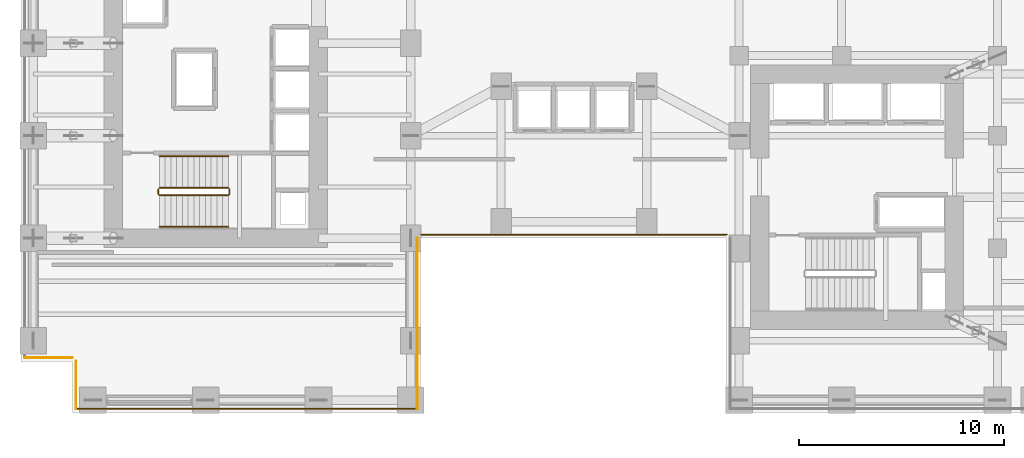
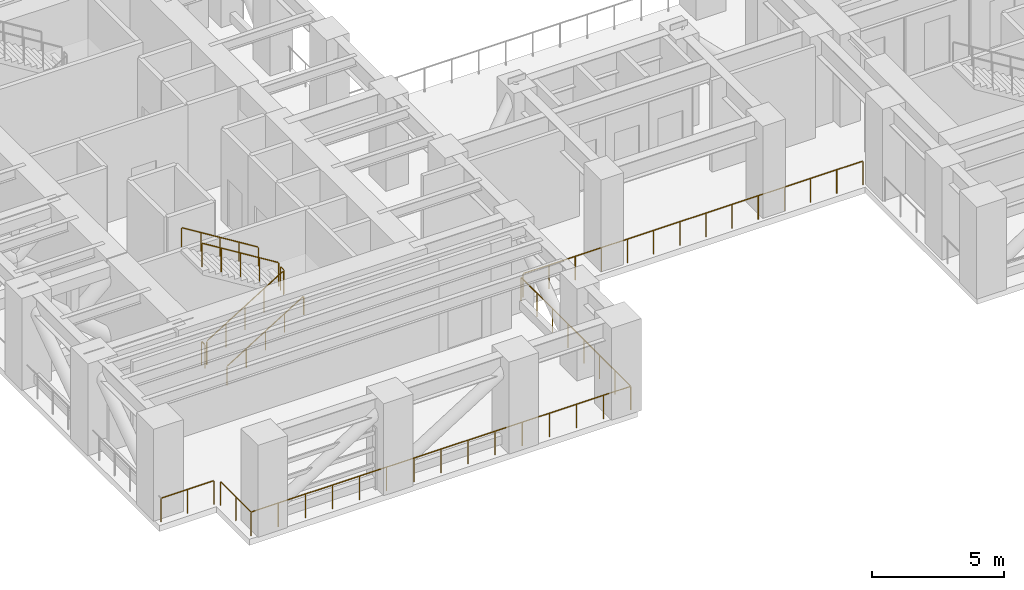
# One storey, part 12 of 16: 11 railings.
"""IFC4 building model written with IfcOpenShell, lengths in metres."""

import ifcopenshell
import ifcopenshell.guid

model = None  # the IFC model being written
_history = None  # IfcOwnerHistory: only IFC2X3 demands one
_inside = {}  # id of a spatial element -> (the spatial element, [elements in it])
_under = {}  # id of a project, library or spatial element -> (it, [spatial elements below it])
_declared = {}  # id of a project -> (the project, [libraries it declares])
_typed = {}  # id of a type object -> (the type object, [elements of that type])
_made_of = {}  # id of a material, layer set ... -> (it, [elements and type objects made of it])


def new_model(schema):
    """Start an empty IFC model of exactly this schema.

    Asked for "IFC4X3", IfcOpenShell would pick the latest addendum, in which some entities
    have other attributes; the version numbers below select the first issue.
    IFC2X3 requires an IfcOwnerHistory on every rooted entity: one is made here for all.
    """
    global model, _history
    if schema == "IFC4X3":
        model = ifcopenshell.file(schema_version=(4, 3, 0, 0))
    else:
        model = ifcopenshell.file(schema=schema)
    _inside.clear()
    _under.clear()
    _declared.clear()
    _typed.clear()
    _made_of.clear()
    _history = None
    if model.schema == "IFC2X3":
        org = make("IfcOrganization", Name="unknown")
        user = make(
            "IfcPersonAndOrganization",
            ThePerson=make("IfcPerson", FamilyName="unknown"),
            TheOrganization=org,
        )
        app = make(
            "IfcApplication",
            ApplicationDeveloper=org,
            Version="unknown",
            ApplicationFullName="unknown",
            ApplicationIdentifier="unknown",
        )
        _history = make(
            "IfcOwnerHistory",
            OwningUser=user,
            OwningApplication=app,
            ChangeAction="ADDED",
            CreationDate=0,
        )
    return model


def make(cls, **values):
    """One entity of the class cls with the attributes given. An attribute that is None is left unset."""
    return model.create_entity(
        cls, **{name: value for name, value in values.items() if value is not None}
    )


def rooted(cls, **values):
    """An entity with a GlobalId (a new one), such as an element, a storey or a relation."""
    return make(cls, GlobalId=ifcopenshell.guid.new(), OwnerHistory=_history, **values)


def si_unit(unit_type, name, prefix=None):
    """IfcSIUnit, for example si_unit("LENGTHUNIT", "METRE", prefix="MILLI")."""
    return make("IfcSIUnit", UnitType=unit_type, Prefix=prefix, Name=name)


def assignment(units):
    """IfcUnitAssignment: the units of a project."""
    return None if units is None else make("IfcUnitAssignment", Units=units)


def point(xyz):
    """IfcCartesianPoint."""
    return None if xyz is None else make("IfcCartesianPoint", Coordinates=xyz)


def direction(xyz):
    """IfcDirection."""
    return None if xyz is None else make("IfcDirection", DirectionRatios=xyz)


def frame(location, z_axis=None, x_axis=None):
    """IfcAxis2Placement3D, a coordinate frame: its origin and axes. An axis left out is left unset."""
    return make(
        "IfcAxis2Placement3D",
        Location=point(location),
        Axis=direction(z_axis),
        RefDirection=direction(x_axis),
    )


def frame_2d(location, x_axis=None):
    """IfcAxis2Placement2D, a coordinate frame in the plane: its origin and x axis."""
    return make(
        "IfcAxis2Placement2D", Location=point(location), RefDirection=direction(x_axis)
    )


def origin():
    """The frame at (0, 0, 0) with its axes left unset."""
    return frame((0.0, 0.0, 0.0))


def origin_2d():
    """The frame at (0, 0) in the plane with its x axis left unset."""
    return frame_2d((0.0, 0.0))


def place(relative_to, where):
    """IfcLocalPlacement: puts the frame where relative to a parent placement (None: the world)."""
    return make(
        "IfcLocalPlacement", PlacementRelTo=relative_to, RelativePlacement=where
    )


def context(
    kind, dimensions, precision=None, world=None, true_north=None, identifier=None
):
    """IfcGeometricRepresentationContext, for example the 3D "Model" context."""
    return make(
        "IfcGeometricRepresentationContext",
        ContextIdentifier=identifier,
        ContextType=kind,
        CoordinateSpaceDimension=dimensions,
        Precision=precision,
        WorldCoordinateSystem=world,
        TrueNorth=true_north,
    )


def subcontext(parent, identifier, kind, view, scale=None):
    """IfcGeometricRepresentationSubContext, for example "Body" below "Model"."""
    return make(
        "IfcGeometricRepresentationSubContext",
        ContextIdentifier=identifier,
        ContextType=kind,
        ParentContext=parent,
        TargetScale=scale,
        TargetView=view,
    )


def project(units=None, contexts=None):
    """IfcProject with its units and contexts."""
    return rooted(
        "IfcProject",
        Name="project",
        RepresentationContexts=contexts,
        UnitsInContext=assignment(units),
    )


def spatial(cls, under=None, at=None, **own):
    """A site, building, storey or space (cls), placed at a placement, below another one or the project."""
    s = rooted(cls, ObjectPlacement=at, **own)
    if under is not None:
        _under.setdefault(under.id(), (under, []))[1].append(s)
    return s


def profile(cls, at=None, kind="AREA", **sizes):
    """A parametric profile (cls). Its sizes go by their IFC names, for example OverallWidth=200.0."""
    return make(cls, ProfileType=kind, Position=at, **sizes)


def circle(**sizes):
    """IfcCircleProfileDef."""
    return profile("IfcCircleProfileDef", **sizes)


def extrude(swept, where, along, depth):
    """IfcExtrudedAreaSolid: the profile swept, set in the frame where, extruded along a direction by depth."""
    return make(
        "IfcExtrudedAreaSolid",
        SweptArea=swept,
        Position=where,
        ExtrudedDirection=direction(along),
        Depth=depth,
    )


def shape(context_of_items, identifier, shape_type, items):
    """IfcShapeRepresentation: the items that make up one representation, for example the "Body"."""
    return make(
        "IfcShapeRepresentation",
        ContextOfItems=context_of_items,
        RepresentationIdentifier=identifier,
        RepresentationType=shape_type,
        Items=items,
    )


def source(mapping_origin, context_of_items, identifier, shape_type, items):
    """IfcRepresentationMap: a shape defined once, which mapped items show again and again."""
    return make(
        "IfcRepresentationMap",
        MappingOrigin=mapping_origin,
        MappedRepresentation=shape(context_of_items, identifier, shape_type, items),
    )


def transform(
    local_origin,
    x_axis=None,
    y_axis=None,
    z_axis=None,
    scale=None,
    scale2=None,
    scale3=None,
    uniform=True,
):
    """IfcCartesianTransformationOperator3D, or its non-uniform kind. x_axis, y_axis, z_axis: its Axis1, 2, 3."""
    if uniform:
        return make(
            "IfcCartesianTransformationOperator3D",
            Axis1=direction(x_axis),
            Axis2=direction(y_axis),
            LocalOrigin=point(local_origin),
            Scale=scale,
            Axis3=direction(z_axis),
        )
    return make(
        "IfcCartesianTransformationOperator3DnonUniform",
        Axis1=direction(x_axis),
        Axis2=direction(y_axis),
        LocalOrigin=point(local_origin),
        Scale=scale,
        Axis3=direction(z_axis),
        Scale2=scale2,
        Scale3=scale3,
    )


def mapped(mapping_source, mapping_target):
    """IfcMappedItem: shows the shape of a source again, moved by a transform."""
    return make(
        "IfcMappedItem", MappingSource=mapping_source, MappingTarget=mapping_target
    )


def material(Name=None, Category=None):
    """IfcMaterial."""
    return make("IfcMaterial", Name=Name, Category=Category)


def layer(
    of_material, thickness, ventilated=None, Name=None, Category=None, Priority=None
):
    """IfcMaterialLayer: one layer of a wall or slab, of a material (None: an air gap)."""
    return make(
        "IfcMaterialLayer",
        Material=of_material,
        LayerThickness=thickness,
        IsVentilated=ventilated,
        Name=Name,
        Category=Category,
        Priority=Priority,
    )


def layer_set(layers, Name=None):
    """IfcMaterialLayerSet."""
    return make("IfcMaterialLayerSet", MaterialLayers=layers, LayerSetName=Name)


def made_of(thing, what):
    """Note that an element or type object is made of a material, layer set ...; save() writes the relation."""
    if what is not None:
        _made_of.setdefault(what.id(), (what, []))[1].append(thing)
    return thing


def type_object(cls, material=None, **own):
    """A type object (cls), such as IfcWallType, which elements share."""
    return made_of(rooted(cls, **own), material)


def element(
    cls,
    number,
    at=None,
    inside=None,
    cuts=None,
    type_object=None,
    material=None,
    context=None,
    identifier="Body",
    shape_type=None,
    held_by="IfcProductDefinitionShape",
    body=None,
    shapes=None,
    **own,
):
    """One element of the class cls, such as IfcWall. Its Tag is "e" and its number.

    at: its placement. inside: the storey or other place that contains it. cuts: it is an
    opening in that element (IfcRelVoidsElement). A single representation is given by context,
    identifier, shape_type and body (its items); several are given by shapes. held_by: the class
    of the entity that holds the representations. save() writes the other relations.
    """
    e = rooted(cls, Tag="e%d" % number, ObjectPlacement=at, **own)
    if body is not None:
        shapes = [shape(context, identifier, shape_type, body)]
    if shapes is not None:
        e.Representation = make(held_by, Representations=shapes)
    if inside is not None:
        _inside.setdefault(inside.id(), (inside, []))[1].append(e)
    if cuts is not None:
        rooted(
            "IfcRelVoidsElement", RelatingBuildingElement=cuts, RelatedOpeningElement=e
        )
    if type_object is not None:
        _typed.setdefault(type_object.id(), (type_object, []))[1].append(e)
    return made_of(e, material)


def aggregate(whole, parts):
    """IfcRelAggregates: a whole, such as a stair, and the parts it consists of."""
    return rooted("IfcRelAggregates", RelatingObject=whole, RelatedObjects=parts)


def save(model, path):
    """Write the relations noted so far, then the file.

    IfcRelAggregates (storeys below a building ...), IfcRelContainedInSpatialStructure (elements
    in a storey), IfcRelDefinesByType, IfcRelAssociatesMaterial and IfcRelDeclares: one each for
    every whole, place, type object, material and project.
    """
    for whole, parts in _under.values():
        aggregate(whole, parts)
    for where, things in _inside.values():
        rooted(
            "IfcRelContainedInSpatialStructure",
            RelatedElements=things,
            RelatingStructure=where,
        )
    for kind, things in _typed.values():
        rooted("IfcRelDefinesByType", RelatedObjects=things, RelatingType=kind)
    for what, things in _made_of.values():
        rooted("IfcRelAssociatesMaterial", RelatedObjects=things, RelatingMaterial=what)
    for by, libraries in _declared.values():
        rooted("IfcRelDeclares", RelatingContext=by, RelatedDefinitions=libraries)
    model.write(path)


model = new_model("IFC4")

# Units and contexts
model_context = context("Model", 3, precision=1e-05, world=origin(), true_north=direction((0.0, 1.0)))
body_context = subcontext(model_context, "Body", "Model", "MODEL_VIEW")
ifc_project = project(units=[si_unit("LENGTHUNIT", "METRE"), si_unit("AREAUNIT", "SQUARE_METRE"), si_unit("VOLUMEUNIT", "CUBIC_METRE"), si_unit("PLANEANGLEUNIT", "RADIAN"), si_unit("MASSUNIT", "GRAM", prefix="KILO")], contexts=[model_context])

# Site, building, storey
site_placement = place(None, origin())
site = spatial("IfcSite", under=ifc_project, at=site_placement, CompositionType="ELEMENT")
building_placement = place(site_placement, origin())
building = spatial("IfcBuilding", under=site, at=building_placement, Name="Kharzan Plaza Tower", CompositionType="ELEMENT")
storey_placement = place(building_placement, frame((0.0, 0.0, 72.89990234375)))
storey = spatial("IfcBuildingStorey", under=building, at=storey_placement, Name="L19", CompositionType="ELEMENT", Elevation=72.89990234375)

# Railings
ifc_material_1 = material(Name="Painted Galvanized Architectural Steel", Category="steel")
ifc_layer_1 = layer(ifc_material_1, 0.074951171875)
ifc_layer_set_1 = layer_set([ifc_layer_1], Name="Painted Galvanized Architectural Steel")
railing_type_1 = type_object("IfcRailingType", Name="RL-GUARD-1120", PredefinedType="BALUSTRADE", material=ifc_layer_set_1)
shared_shape_1 = source(origin(), body_context, "Body", "SweptSolid", [
    extrude(circle(Radius=0.02392578125, at=origin_2d()), frame((0.0224609375, 0.0, 1.10986328125), z_axis=(0.850623216509, 0.0, 0.525775754039), x_axis=(0.0, 1.0, 0.0)), (0.0, 0.0, 1.0), 3.897216796875),
    extrude(circle(Radius=0.02099609375, at=origin_2d()), origin(), (0.0, 0.0, 1.0), 1.072021484375),
    extrude(circle(Radius=0.02099609375, at=origin_2d()), frame((0.840087890625, 0.0, 0.519287109375)), (0.0, 0.0, 1.0), 1.072021484375),
    extrude(circle(Radius=0.02099609375, at=origin_2d()), frame((1.68017578125, 0.0, 1.03857421875)), (0.0, 0.0, 1.0), 1.072021484375),
    extrude(circle(Radius=0.02099609375, at=origin_2d()), frame((2.52001953125, 0.0, 1.5576171875)), (0.0, 0.0, 1.0), 1.072021484375),
    extrude(circle(Radius=0.02099609375, at=origin_2d()), frame((3.360107421875, 0.0, 2.076904296875)), (0.0, 0.0, 1.0), 1.072021484375),
])
railing_1_placement = place(storey_placement, frame((6.75, 10.60009765625, 0.173095703125)))
element("IfcRailing", 1, at=railing_1_placement, inside=storey, type_object=railing_type_1, Name="L19 ST-1 stair guard 1", PredefinedType="BALUSTRADE", context=body_context, shape_type="MappedRepresentation", body=[
    mapped(shared_shape_1, transform((0.0, 0.0, 0.0), x_axis=(1.0, 0.0, 0.0), y_axis=(0.0, 1.0, 0.0), z_axis=(0.0, 0.0, 1.0))),
])
shared_shape_2 = source(origin(), body_context, "Body", "SweptSolid", [
    extrude(circle(Radius=0.02392578125, at=origin_2d()), frame((0.0, 0.0263671875, 1.09619140625), z_axis=(0.0, 1.0, 0.0), x_axis=(-1.0, 0.0, 0.0)), (0.0, 0.0, 1.0), 0.197021484375),
    extrude(circle(Radius=0.02099609375, at=origin_2d()), origin(), (0.0, 0.0, 1.0), 1.072021484375),
    extrude(circle(Radius=0.02099609375, at=origin_2d()), frame((0.0, 0.25, 0.0)), (0.0, 0.0, 1.0), 1.072021484375),
])
for number, where, name in (
    (2, (10.159912109375, 10.64990234375, 2.25), "L19 ST-1 stair guard 2"),
    (3, (6.699951171875, 10.64990234375, 0.0), "L19 ST-1 stair guard 4"),
):
    element("IfcRailing", number, at=place(storey_placement, frame(where)), inside=storey, type_object=railing_type_1, Name=name, PredefinedType="BALUSTRADE", context=body_context, shape_type="MappedRepresentation", body=[
        mapped(shared_shape_2, transform((0.0, 0.0, 0.0), x_axis=(1.0, 0.0, 0.0), y_axis=(0.0, 1.0, 0.0), z_axis=(0.0, 0.0, 1.0))),
    ])
shared_shape_3 = source(origin(), body_context, "Body", "SweptSolid", [
    extrude(circle(Radius=0.02392578125, at=origin_2d()), frame((-0.0224609375, 0.0, 1.10986328125), z_axis=(-0.850623216509, 0.0, 0.525775754039), x_axis=(0.0, -1.0, 0.0)), (0.0, 0.0, 1.0), 3.897216796875),
    extrude(circle(Radius=0.02099609375, at=origin_2d()), origin(), (0.0, 0.0, 1.0), 1.072021484375),
    extrude(circle(Radius=0.02099609375, at=origin_2d()), frame((-0.840087890625, 0.0, 0.519287109375)), (0.0, 0.0, 1.0), 1.072021484375),
    extrude(circle(Radius=0.02099609375, at=origin_2d()), frame((-1.68017578125, 0.0, 1.03857421875)), (0.0, 0.0, 1.0), 1.072021484375),
    extrude(circle(Radius=0.02099609375, at=origin_2d()), frame((-2.52001953125, 0.0, 1.5576171875)), (0.0, 0.0, 1.0), 1.072021484375),
    extrude(circle(Radius=0.02099609375, at=origin_2d()), frame((-3.360107421875, 0.0, 2.076904296875)), (0.0, 0.0, 1.0), 1.072021484375),
])
railing_2_placement = place(storey_placement, frame((10.110107421875, 10.949951171875, 2.423095703125)))
element("IfcRailing", 4, at=railing_2_placement, inside=storey, type_object=railing_type_1, Name="L19 ST-1 stair guard 3", PredefinedType="BALUSTRADE", context=body_context, shape_type="MappedRepresentation", body=[
    mapped(shared_shape_3, transform((0.0, 0.0, 0.0), x_axis=(1.0, 0.0, 0.0), y_axis=(0.0, 1.0, 0.0), z_axis=(0.0, 0.0, 1.0))),
])
ifc_material_2 = material(Name="Brushed Stainless Steel", Category="steel")
ifc_layer_2 = layer(ifc_material_2, 0.050048828125)
ifc_layer_set_2 = layer_set([ifc_layer_2], Name="Brushed Stainless Steel")
railing_type_2 = type_object("IfcRailingType", Name="RL-STAIR-HR920", PredefinedType="HANDRAIL", material=ifc_layer_set_2)
shared_shape_4 = source(origin(), body_context, "Body", "SweptSolid", [
    extrude(circle(Radius=0.02392578125, at=origin_2d()), frame((0.0224609375, 0.0, 0.8896484375), z_axis=(0.850623216509, 0.0, 0.525775754039), x_axis=(0.0, 1.0, 0.0)), (0.0, 0.0, 1.0), 3.897216796875),
    extrude(circle(Radius=0.02099609375, at=origin_2d()), origin(), (0.0, 0.0, 1.0), 0.851806640625),
    extrude(circle(Radius=0.02099609375, at=origin_2d()), frame((0.840087890625, 0.0, 0.519287109375)), (0.0, 0.0, 1.0), 0.851806640625),
    extrude(circle(Radius=0.02099609375, at=origin_2d()), frame((1.68017578125, 0.0, 1.03857421875)), (0.0, 0.0, 1.0), 0.851806640625),
    extrude(circle(Radius=0.02099609375, at=origin_2d()), frame((2.52001953125, 0.0, 1.5576171875)), (0.0, 0.0, 1.0), 0.851806640625),
    extrude(circle(Radius=0.02099609375, at=origin_2d()), frame((3.360107421875, 0.0, 2.076904296875)), (0.0, 0.0, 1.0), 0.851806640625),
])
railing_3_placement = place(storey_placement, frame((6.75, 9.050048828125, 0.173095703125)))
element("IfcRailing", 5, at=railing_3_placement, inside=storey, type_object=railing_type_2, Name="L19 ST-1 stair handrail 1", PredefinedType="HANDRAIL", context=body_context, shape_type="MappedRepresentation", body=[
    mapped(shared_shape_4, transform((0.0, 0.0, 0.0), x_axis=(1.0, 0.0, 0.0), y_axis=(0.0, 1.0, 0.0), z_axis=(0.0, 0.0, 1.0))),
])
shared_shape_5 = source(origin(), body_context, "Body", "SweptSolid", [
    extrude(circle(Radius=0.02392578125, at=origin_2d()), frame((-0.0224609375, 0.0, 0.8896484375), z_axis=(-0.850623216509, 0.0, 0.525775754039), x_axis=(0.0, -1.0, 0.0)), (0.0, 0.0, 1.0), 3.897216796875),
    extrude(circle(Radius=0.02099609375, at=origin_2d()), origin(), (0.0, 0.0, 1.0), 0.851806640625),
    extrude(circle(Radius=0.02099609375, at=origin_2d()), frame((-0.840087890625, 0.0, 0.519287109375)), (0.0, 0.0, 1.0), 0.851806640625),
    extrude(circle(Radius=0.02099609375, at=origin_2d()), frame((-1.68017578125, 0.0, 1.03857421875)), (0.0, 0.0, 1.0), 0.851806640625),
    extrude(circle(Radius=0.02099609375, at=origin_2d()), frame((-2.52001953125, 0.0, 1.5576171875)), (0.0, 0.0, 1.0), 0.851806640625),
    extrude(circle(Radius=0.02099609375, at=origin_2d()), frame((-3.360107421875, 0.0, 2.076904296875)), (0.0, 0.0, 1.0), 0.851806640625),
])
railing_4_placement = place(storey_placement, frame((10.110107421875, 12.5, 2.423095703125)))
element("IfcRailing", 6, at=railing_4_placement, inside=storey, type_object=railing_type_2, Name="L19 ST-1 stair handrail 2", PredefinedType="HANDRAIL", context=body_context, shape_type="MappedRepresentation", body=[
    mapped(shared_shape_5, transform((0.0, 0.0, 0.0), x_axis=(1.0, 0.0, 0.0), y_axis=(0.0, 1.0, 0.0), z_axis=(0.0, 0.0, 1.0))),
])
shared_shape_6 = source(origin(), body_context, "Body", "SweptSolid", [
    extrude(circle(Radius=0.02392578125, at=origin_2d()), frame((0.0, 0.0263671875, 1.09619140625), z_axis=(0.0, 1.0, 0.0), x_axis=(-1.0, 0.0, 0.0)), (0.0, 0.0, 1.0), 2.26708984375),
    extrude(circle(Radius=0.02099609375, at=origin_2d()), origin(), (0.0, 0.0, 1.0), 1.072021484375),
    extrude(circle(Radius=0.02099609375, at=origin_2d()), frame((0.0, 1.16015625, 0.0)), (0.0, 0.0, 1.0), 1.072021484375),
    extrude(circle(Radius=0.02099609375, at=origin_2d()), frame((0.0, 2.320068359375, 0.0)), (0.0, 0.0, 1.0), 1.072021484375),
])
railing_5_placement = place(storey_placement, frame((2.679931640625, 0.179931640625, 0.0)))
element("IfcRailing", 7, at=railing_5_placement, inside=storey, type_object=railing_type_1, Name="L19 Open Refuge Floor Perimeter Guard 76", PredefinedType="BALUSTRADE", context=body_context, shape_type="MappedRepresentation", body=[
    mapped(shared_shape_6, transform((0.0, 0.0, 0.0), x_axis=(1.0, 0.0, 0.0), y_axis=(0.0, 1.0, 0.0), z_axis=(0.0, 0.0, 1.0))),
])
shared_shape_7 = source(origin(), body_context, "Body", "SweptSolid", [
    extrude(circle(Radius=0.02392578125, at=origin_2d()), frame((-0.0263671875, 0.0, 1.09619140625), z_axis=(-1.0, 0.0, 0.0), x_axis=(0.0, -1.0, 0.0)), (0.0, 0.0, 1.0), 2.26708984375),
    extrude(circle(Radius=0.02099609375, at=origin_2d()), origin(), (0.0, 0.0, 1.0), 1.072021484375),
    extrude(circle(Radius=0.02099609375, at=origin_2d()), frame((-1.16015625, 0.0, 0.0)), (0.0, 0.0, 1.0), 1.072021484375),
    extrude(circle(Radius=0.02099609375, at=origin_2d()), frame((-2.320068359375, 0.0, 0.0)), (0.0, 0.0, 1.0), 1.072021484375),
])
railing_6_placement = place(storey_placement, frame((2.5, 2.679931640625, 0.0)))
element("IfcRailing", 8, at=railing_6_placement, inside=storey, type_object=railing_type_1, Name="L19 Open Refuge Floor Perimeter Guard 93", PredefinedType="BALUSTRADE", context=body_context, shape_type="MappedRepresentation", body=[
    mapped(shared_shape_7, transform((0.0, 0.0, 0.0), x_axis=(1.0, 0.0, 0.0), y_axis=(0.0, 1.0, 0.0), z_axis=(0.0, 0.0, 1.0))),
])
shared_shape_8 = source(origin(), body_context, "Body", "SweptSolid", [
    extrude(circle(Radius=0.02392578125, at=origin_2d()), frame((-0.0263671875, 0.0, 1.09619140625), z_axis=(-1.0, 0.0, 0.0), x_axis=(0.0, -1.0, 0.0)), (0.0, 0.0, 1.0), 14.846923828125),
    extrude(circle(Radius=0.02099609375, at=origin_2d()), origin(), (0.0, 0.0, 1.0), 1.072021484375),
    extrude(circle(Radius=0.02099609375, at=origin_2d()), frame((-1.146240234375, 0.0, 0.0)), (0.0, 0.0, 1.0), 1.072021484375),
    extrude(circle(Radius=0.02099609375, at=origin_2d()), frame((-2.292236328125, 0.0, 0.0)), (0.0, 0.0, 1.0), 1.072021484375),
    extrude(circle(Radius=0.02099609375, at=origin_2d()), frame((-3.4384765625, 0.0, 0.0)), (0.0, 0.0, 1.0), 1.072021484375),
    extrude(circle(Radius=0.02099609375, at=origin_2d()), frame((-4.58447265625, 0.0, 0.0)), (0.0, 0.0, 1.0), 1.072021484375),
    extrude(circle(Radius=0.02099609375, at=origin_2d()), frame((-5.730712890625, 0.0, 0.0)), (0.0, 0.0, 1.0), 1.072021484375),
    extrude(circle(Radius=0.02099609375, at=origin_2d()), frame((-6.876953125, 0.0, 0.0)), (0.0, 0.0, 1.0), 1.072021484375),
    extrude(circle(Radius=0.02099609375, at=origin_2d()), frame((-8.02294921875, 0.0, 0.0)), (0.0, 0.0, 1.0), 1.072021484375),
    extrude(circle(Radius=0.02099609375, at=origin_2d()), frame((-9.169189453125, 0.0, 0.0)), (0.0, 0.0, 1.0), 1.072021484375),
    extrude(circle(Radius=0.02099609375, at=origin_2d()), frame((-10.3154296875, 0.0, 0.0)), (0.0, 0.0, 1.0), 1.072021484375),
    extrude(circle(Radius=0.02099609375, at=origin_2d()), frame((-11.46142578125, 0.0, 0.0)), (0.0, 0.0, 1.0), 1.072021484375),
    extrude(circle(Radius=0.02099609375, at=origin_2d()), frame((-12.607666015625, 0.0, 0.0)), (0.0, 0.0, 1.0), 1.072021484375),
    extrude(circle(Radius=0.02099609375, at=origin_2d()), frame((-13.753662109375, 0.0, 0.0)), (0.0, 0.0, 1.0), 1.072021484375),
    extrude(circle(Radius=0.02099609375, at=origin_2d()), frame((-14.89990234375, 0.0, 0.0)), (0.0, 0.0, 1.0), 1.072021484375),
])
railing_7_placement = place(storey_placement, frame((34.39990234375, 8.679931640625, 0.0)))
element("IfcRailing", 9, at=railing_7_placement, inside=storey, type_object=railing_type_1, Name="L19 Open Refuge Floor Perimeter Guard 57", PredefinedType="BALUSTRADE", context=body_context, shape_type="MappedRepresentation", body=[
    mapped(shared_shape_8, transform((0.0, 0.0, 0.0), x_axis=(1.0, 0.0, 0.0), y_axis=(0.0, 1.0, 0.0), z_axis=(0.0, 0.0, 1.0))),
])
shared_shape_9 = source(origin(), body_context, "Body", "SweptSolid", [
    extrude(circle(Radius=0.02392578125, at=origin_2d()), frame((0.0, -0.0263671875, 1.09619140625), z_axis=(0.0, -1.0, 0.0), x_axis=(1.0, 0.0, 0.0)), (0.0, 0.0, 1.0), 8.26708984375),
    extrude(circle(Radius=0.02099609375, at=origin_2d()), origin(), (0.0, 0.0, 1.0), 1.072021484375),
    extrude(circle(Radius=0.02099609375, at=origin_2d()), frame((0.0, -1.1884765625, 0.0)), (0.0, 0.0, 1.0), 1.072021484375),
    extrude(circle(Radius=0.02099609375, at=origin_2d()), frame((0.0, -2.377197265625, 0.0)), (0.0, 0.0, 1.0), 1.072021484375),
    extrude(circle(Radius=0.02099609375, at=origin_2d()), frame((0.0, -3.565673828125, 0.0)), (0.0, 0.0, 1.0), 1.072021484375),
    extrude(circle(Radius=0.02099609375, at=origin_2d()), frame((0.0, -4.75439453125, 0.0)), (0.0, 0.0, 1.0), 1.072021484375),
    extrude(circle(Radius=0.02099609375, at=origin_2d()), frame((0.0, -5.94287109375, 0.0)), (0.0, 0.0, 1.0), 1.072021484375),
    extrude(circle(Radius=0.02099609375, at=origin_2d()), frame((0.0, -7.131591796875, 0.0)), (0.0, 0.0, 1.0), 1.072021484375),
    extrude(circle(Radius=0.02099609375, at=origin_2d()), frame((0.0, -8.320068359375, 0.0)), (0.0, 0.0, 1.0), 1.072021484375),
])
railing_8_placement = place(storey_placement, frame((19.320068359375, 8.5, 0.0)))
element("IfcRailing", 10, at=railing_8_placement, inside=storey, type_object=railing_type_1, Name="L19 Open Refuge Floor Perimeter Guard 74", PredefinedType="BALUSTRADE", context=body_context, shape_type="MappedRepresentation", body=[
    mapped(shared_shape_9, transform((0.0, 0.0, 0.0), x_axis=(1.0, 0.0, 0.0), y_axis=(0.0, 1.0, 0.0), z_axis=(0.0, 0.0, 1.0))),
])
shared_shape_10 = source(origin(), body_context, "Body", "SweptSolid", [
    extrude(circle(Radius=0.02392578125, at=origin_2d()), frame((-0.0263671875, 0.0, 1.09619140625), z_axis=(-1.0, 0.0, 0.0), x_axis=(0.0, -1.0, 0.0)), (0.0, 0.0, 1.0), 16.587158203125),
    extrude(circle(Radius=0.02099609375, at=origin_2d()), origin(), (0.0, 0.0, 1.0), 1.072021484375),
    extrude(circle(Radius=0.02099609375, at=origin_2d()), frame((-1.1884765625, 0.0, 0.0)), (0.0, 0.0, 1.0), 1.072021484375),
    extrude(circle(Radius=0.02099609375, at=origin_2d()), frame((-2.377197265625, 0.0, 0.0)), (0.0, 0.0, 1.0), 1.072021484375),
    extrude(circle(Radius=0.02099609375, at=origin_2d()), frame((-3.565673828125, 0.0, 0.0)), (0.0, 0.0, 1.0), 1.072021484375),
    extrude(circle(Radius=0.02099609375, at=origin_2d()), frame((-4.75439453125, 0.0, 0.0)), (0.0, 0.0, 1.0), 1.072021484375),
    extrude(circle(Radius=0.02099609375, at=origin_2d()), frame((-5.94287109375, 0.0, 0.0)), (0.0, 0.0, 1.0), 1.072021484375),
    extrude(circle(Radius=0.02099609375, at=origin_2d()), frame((-7.131591796875, 0.0, 0.0)), (0.0, 0.0, 1.0), 1.072021484375),
    extrude(circle(Radius=0.02099609375, at=origin_2d()), frame((-8.320068359375, 0.0, 0.0)), (0.0, 0.0, 1.0), 1.072021484375),
    extrude(circle(Radius=0.02099609375, at=origin_2d()), frame((-9.508544921875, 0.0, 0.0)), (0.0, 0.0, 1.0), 1.072021484375),
    extrude(circle(Radius=0.02099609375, at=origin_2d()), frame((-10.697265625, 0.0, 0.0)), (0.0, 0.0, 1.0), 1.072021484375),
    extrude(circle(Radius=0.02099609375, at=origin_2d()), frame((-11.8857421875, 0.0, 0.0)), (0.0, 0.0, 1.0), 1.072021484375),
    extrude(circle(Radius=0.02099609375, at=origin_2d()), frame((-13.074462890625, 0.0, 0.0)), (0.0, 0.0, 1.0), 1.072021484375),
    extrude(circle(Radius=0.02099609375, at=origin_2d()), frame((-14.262939453125, 0.0, 0.0)), (0.0, 0.0, 1.0), 1.072021484375),
    extrude(circle(Radius=0.02099609375, at=origin_2d()), frame((-15.45166015625, 0.0, 0.0)), (0.0, 0.0, 1.0), 1.072021484375),
    extrude(circle(Radius=0.02099609375, at=origin_2d()), frame((-16.64013671875, 0.0, 0.0)), (0.0, 0.0, 1.0), 1.072021484375),
])
railing_9_placement = place(storey_placement, frame((19.320068359375, 0.179931640625, 0.0)))
element("IfcRailing", 11, at=railing_9_placement, inside=storey, type_object=railing_type_1, Name="L19 Open Refuge Floor Perimeter Guard 75", PredefinedType="BALUSTRADE", context=body_context, shape_type="MappedRepresentation", body=[
    mapped(shared_shape_10, transform((0.0, 0.0, 0.0), x_axis=(1.0, 0.0, 0.0), y_axis=(0.0, 1.0, 0.0), z_axis=(0.0, 0.0, 1.0))),
])

save(model, "model.ifc")
